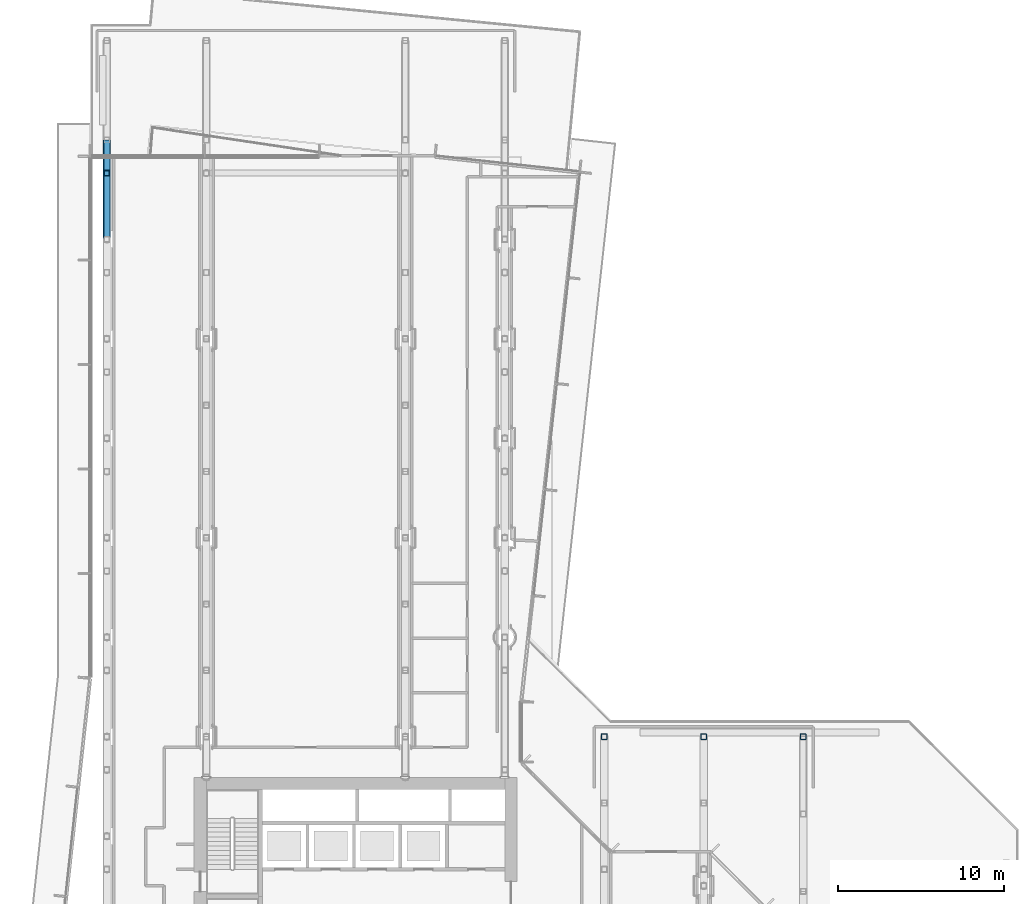
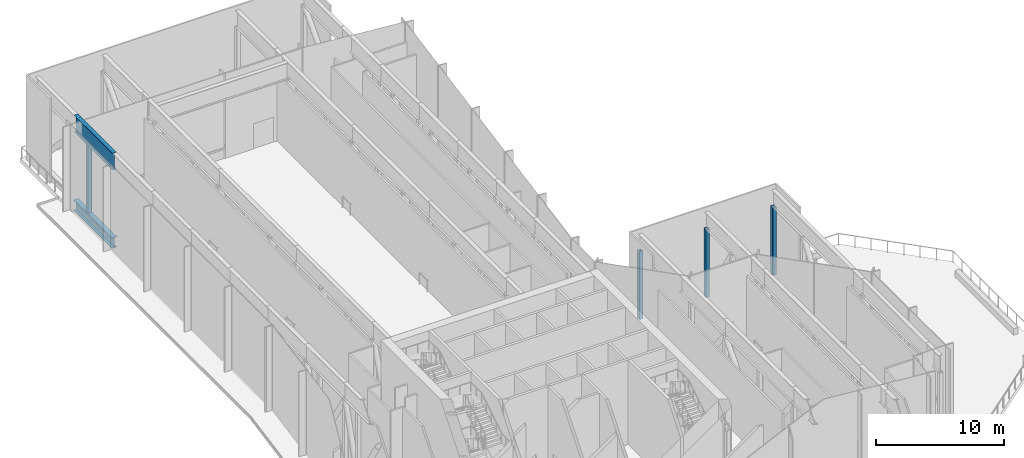
# One storey, part 9 of 24: 6 members.
"""IFC4 building model written with IfcOpenShell, lengths in metres."""

import ifcopenshell
import ifcopenshell.guid

model = None  # the IFC model being written
_history = None  # IfcOwnerHistory: only IFC2X3 demands one
_inside = {}  # id of a spatial element -> (the spatial element, [elements in it])
_under = {}  # id of a project, library or spatial element -> (it, [spatial elements below it])
_declared = {}  # id of a project -> (the project, [libraries it declares])
_typed = {}  # id of a type object -> (the type object, [elements of that type])
_made_of = {}  # id of a material, layer set ... -> (it, [elements and type objects made of it])


def new_model(schema):
    """Start an empty IFC model of exactly this schema.

    Asked for "IFC4X3", IfcOpenShell would pick the latest addendum, in which some entities
    have other attributes; the version numbers below select the first issue.
    IFC2X3 requires an IfcOwnerHistory on every rooted entity: one is made here for all.
    """
    global model, _history
    if schema == "IFC4X3":
        model = ifcopenshell.file(schema_version=(4, 3, 0, 0))
    else:
        model = ifcopenshell.file(schema=schema)
    _inside.clear()
    _under.clear()
    _declared.clear()
    _typed.clear()
    _made_of.clear()
    _history = None
    if model.schema == "IFC2X3":
        org = make("IfcOrganization", Name="unknown")
        user = make(
            "IfcPersonAndOrganization",
            ThePerson=make("IfcPerson", FamilyName="unknown"),
            TheOrganization=org,
        )
        app = make(
            "IfcApplication",
            ApplicationDeveloper=org,
            Version="unknown",
            ApplicationFullName="unknown",
            ApplicationIdentifier="unknown",
        )
        _history = make(
            "IfcOwnerHistory",
            OwningUser=user,
            OwningApplication=app,
            ChangeAction="ADDED",
            CreationDate=0,
        )
    return model


def make(cls, **values):
    """One entity of the class cls with the attributes given. An attribute that is None is left unset."""
    return model.create_entity(
        cls, **{name: value for name, value in values.items() if value is not None}
    )


def rooted(cls, **values):
    """An entity with a GlobalId (a new one), such as an element, a storey or a relation."""
    return make(cls, GlobalId=ifcopenshell.guid.new(), OwnerHistory=_history, **values)


def si_unit(unit_type, name, prefix=None):
    """IfcSIUnit, for example si_unit("LENGTHUNIT", "METRE", prefix="MILLI")."""
    return make("IfcSIUnit", UnitType=unit_type, Prefix=prefix, Name=name)


def assignment(units):
    """IfcUnitAssignment: the units of a project."""
    return None if units is None else make("IfcUnitAssignment", Units=units)


def point(xyz):
    """IfcCartesianPoint."""
    return None if xyz is None else make("IfcCartesianPoint", Coordinates=xyz)


def direction(xyz):
    """IfcDirection."""
    return None if xyz is None else make("IfcDirection", DirectionRatios=xyz)


def frame(location, z_axis=None, x_axis=None):
    """IfcAxis2Placement3D, a coordinate frame: its origin and axes. An axis left out is left unset."""
    return make(
        "IfcAxis2Placement3D",
        Location=point(location),
        Axis=direction(z_axis),
        RefDirection=direction(x_axis),
    )


def frame_2d(location, x_axis=None):
    """IfcAxis2Placement2D, a coordinate frame in the plane: its origin and x axis."""
    return make(
        "IfcAxis2Placement2D", Location=point(location), RefDirection=direction(x_axis)
    )


def origin():
    """The frame at (0, 0, 0) with its axes left unset."""
    return frame((0.0, 0.0, 0.0))


def origin_2d():
    """The frame at (0, 0) in the plane with its x axis left unset."""
    return frame_2d((0.0, 0.0))


def place(relative_to, where):
    """IfcLocalPlacement: puts the frame where relative to a parent placement (None: the world)."""
    return make(
        "IfcLocalPlacement", PlacementRelTo=relative_to, RelativePlacement=where
    )


def context(
    kind, dimensions, precision=None, world=None, true_north=None, identifier=None
):
    """IfcGeometricRepresentationContext, for example the 3D "Model" context."""
    return make(
        "IfcGeometricRepresentationContext",
        ContextIdentifier=identifier,
        ContextType=kind,
        CoordinateSpaceDimension=dimensions,
        Precision=precision,
        WorldCoordinateSystem=world,
        TrueNorth=true_north,
    )


def subcontext(parent, identifier, kind, view, scale=None):
    """IfcGeometricRepresentationSubContext, for example "Body" below "Model"."""
    return make(
        "IfcGeometricRepresentationSubContext",
        ContextIdentifier=identifier,
        ContextType=kind,
        ParentContext=parent,
        TargetScale=scale,
        TargetView=view,
    )


def project(units=None, contexts=None):
    """IfcProject with its units and contexts."""
    return rooted(
        "IfcProject",
        Name="project",
        RepresentationContexts=contexts,
        UnitsInContext=assignment(units),
    )


def spatial(cls, under=None, at=None, **own):
    """A site, building, storey or space (cls), placed at a placement, below another one or the project."""
    s = rooted(cls, ObjectPlacement=at, **own)
    if under is not None:
        _under.setdefault(under.id(), (under, []))[1].append(s)
    return s


def profile(cls, at=None, kind="AREA", **sizes):
    """A parametric profile (cls). Its sizes go by their IFC names, for example OverallWidth=200.0."""
    return make(cls, ProfileType=kind, Position=at, **sizes)


def hollow_rectangle(**sizes):
    """IfcRectangleHollowProfileDef."""
    return profile("IfcRectangleHollowProfileDef", **sizes)


def i_section(**sizes):
    """IfcIShapeProfileDef."""
    return profile("IfcIShapeProfileDef", **sizes)


def extrude(swept, where, along, depth):
    """IfcExtrudedAreaSolid: the profile swept, set in the frame where, extruded along a direction by depth."""
    return make(
        "IfcExtrudedAreaSolid",
        SweptArea=swept,
        Position=where,
        ExtrudedDirection=direction(along),
        Depth=depth,
    )


def shape(context_of_items, identifier, shape_type, items):
    """IfcShapeRepresentation: the items that make up one representation, for example the "Body"."""
    return make(
        "IfcShapeRepresentation",
        ContextOfItems=context_of_items,
        RepresentationIdentifier=identifier,
        RepresentationType=shape_type,
        Items=items,
    )


def material(Name=None, Category=None):
    """IfcMaterial."""
    return make("IfcMaterial", Name=Name, Category=Category)


def material_profile(
    of_material, cross_section, Name=None, Category=None, Priority=None
):
    """IfcMaterialProfile: a cross section and its material."""
    return make(
        "IfcMaterialProfile",
        Name=Name,
        Material=of_material,
        Profile=cross_section,
        Priority=Priority,
        Category=Category,
    )


def profile_set(profiles, Name=None, composite=None):
    """IfcMaterialProfileSet."""
    return make(
        "IfcMaterialProfileSet",
        Name=Name,
        MaterialProfiles=profiles,
        CompositeProfile=composite,
    )


def made_of(thing, what):
    """Note that an element or type object is made of a material, layer set ...; save() writes the relation."""
    if what is not None:
        _made_of.setdefault(what.id(), (what, []))[1].append(thing)
    return thing


def type_object(cls, material=None, **own):
    """A type object (cls), such as IfcWallType, which elements share."""
    return made_of(rooted(cls, **own), material)


def element(
    cls,
    number,
    at=None,
    inside=None,
    cuts=None,
    type_object=None,
    material=None,
    context=None,
    identifier="Body",
    shape_type=None,
    held_by="IfcProductDefinitionShape",
    body=None,
    shapes=None,
    **own,
):
    """One element of the class cls, such as IfcWall. Its Tag is "e" and its number.

    at: its placement. inside: the storey or other place that contains it. cuts: it is an
    opening in that element (IfcRelVoidsElement). A single representation is given by context,
    identifier, shape_type and body (its items); several are given by shapes. held_by: the class
    of the entity that holds the representations. save() writes the other relations.
    """
    e = rooted(cls, Tag="e%d" % number, ObjectPlacement=at, **own)
    if body is not None:
        shapes = [shape(context, identifier, shape_type, body)]
    if shapes is not None:
        e.Representation = make(held_by, Representations=shapes)
    if inside is not None:
        _inside.setdefault(inside.id(), (inside, []))[1].append(e)
    if cuts is not None:
        rooted(
            "IfcRelVoidsElement", RelatingBuildingElement=cuts, RelatedOpeningElement=e
        )
    if type_object is not None:
        _typed.setdefault(type_object.id(), (type_object, []))[1].append(e)
    return made_of(e, material)


def aggregate(whole, parts):
    """IfcRelAggregates: a whole, such as a stair, and the parts it consists of."""
    return rooted("IfcRelAggregates", RelatingObject=whole, RelatedObjects=parts)


def save(model, path):
    """Write the relations noted so far, then the file.

    IfcRelAggregates (storeys below a building ...), IfcRelContainedInSpatialStructure (elements
    in a storey), IfcRelDefinesByType, IfcRelAssociatesMaterial and IfcRelDeclares: one each for
    every whole, place, type object, material and project.
    """
    for whole, parts in _under.values():
        aggregate(whole, parts)
    for where, things in _inside.values():
        rooted(
            "IfcRelContainedInSpatialStructure",
            RelatedElements=things,
            RelatingStructure=where,
        )
    for kind, things in _typed.values():
        rooted("IfcRelDefinesByType", RelatedObjects=things, RelatingType=kind)
    for what, things in _made_of.values():
        rooted("IfcRelAssociatesMaterial", RelatedObjects=things, RelatingMaterial=what)
    for by, libraries in _declared.values():
        rooted("IfcRelDeclares", RelatingContext=by, RelatedDefinitions=libraries)
    model.write(path)


model = new_model("IFC4")

# Units and contexts
model_context = context("Model", 3, precision=1e-05, world=origin(), true_north=direction((0.0, 1.0)))
body_context = subcontext(model_context, "Body", "Model", "MODEL_VIEW")
ifc_project = project(units=[si_unit("LENGTHUNIT", "METRE"), si_unit("AREAUNIT", "SQUARE_METRE"), si_unit("VOLUMEUNIT", "CUBIC_METRE"), si_unit("PLANEANGLEUNIT", "RADIAN"), si_unit("MASSUNIT", "GRAM", prefix="KILO")], contexts=[model_context])

# Site, building, storey
site_placement = place(None, origin())
site = spatial("IfcSite", under=ifc_project, at=site_placement, CompositionType="ELEMENT")
building_placement = place(site_placement, origin())
building = spatial("IfcBuilding", under=site, at=building_placement, Name="Welwitschia Terrace Campus", CompositionType="ELEMENT")
storey_placement = place(building_placement, frame((0.0, 0.0, 138.199951171875)))
storey = spatial("IfcBuildingStorey", under=building, at=storey_placement, Name="L31", CompositionType="ELEMENT", Elevation=138.199951171875)

# Members
ifc_material_1 = material(Name="Steel S355", Category="steel")
ifc_material_profile_1 = material_profile(ifc_material_1, i_section(OverallWidth=0.449951171875, OverallDepth=1.0, WebThickness=0.030029296875, FlangeThickness=0.0400390625, at=origin_2d()))
ifc_profile_set_1 = profile_set([ifc_material_profile_1], Name="Steel S355")
member_type_1 = type_object("IfcMemberType", Name="Transfer truss C2 bottom chord WI 1000x450x30x40", PredefinedType="CHORD", material=ifc_profile_set_1)
member_1_placement = place(storey_placement, frame((0.0, 58.0, -0.5), z_axis=(0.0, 1.0, 0.0), x_axis=(-1.0, 0.0, 0.0)))
element("IfcMember", 1, at=member_1_placement, inside=storey, type_object=member_type_1, Name="Truss bottom chord", PredefinedType="CHORD", context=body_context, shape_type="SweptSolid", body=[
    extrude(i_section(OverallWidth=0.449951171875, OverallDepth=1.0, WebThickness=0.030029296875, FlangeThickness=0.0400390625, at=origin_2d()), origin(), (0.0, 0.0, 1.0), 6.0),
])
ifc_material_2 = material(Name="Steel S355", Category="steel")
ifc_material_profile_2 = material_profile(ifc_material_2, hollow_rectangle(XDim=0.35009765625, YDim=0.35009765625, WallThickness=0.02001953125, InnerFilletRadius=0.02001953125, OuterFilletRadius=0.030029296875, at=origin_2d()))
ifc_profile_set_2 = profile_set([ifc_material_profile_2], Name="Steel S355")
member_type_2 = type_object("IfcMemberType", Name="Transfer truss C2 post SHS 350x350x20", PredefinedType="POST", material=ifc_profile_set_2)
for number, where, z_axis, x_axis, name in (
    (2, (0.0, 62.0, 0.0), (0.0, 0.0, 1.0), (1.0, 0.0, 0.0), "Truss post"),
    (3, (30.0, 28.0, 0.0), (0.0, 0.0, 1.0), (1.0, 0.0, 0.0), "Truss post"),
    (4, (36.0, 28.0, 0.0), (0.0, 0.0, 1.0), (1.0, 0.0, 0.0), "Truss post"),
    (5, (42.0, 28.0, 0.0), (0.0, 0.0, 1.0), (1.0, 0.0, 0.0), "Truss post"),
):
    element("IfcMember", number, at=place(storey_placement, frame(where, z_axis=z_axis, x_axis=x_axis)), inside=storey, type_object=member_type_2, Name=name, PredefinedType="POST", context=body_context, shape_type="SweptSolid", body=[
        extrude(hollow_rectangle(XDim=0.35009765625, YDim=0.35009765625, WallThickness=0.02001953125, InnerFilletRadius=0.02001953125, OuterFilletRadius=0.030029296875, at=origin_2d()), origin(), (0.0, 0.0, 1.0), 6.449951171875),
    ])
ifc_material_3 = material(Name="Steel S355", Category="steel")
ifc_material_profile_3 = material_profile(ifc_material_3, i_section(OverallWidth=0.35009765625, OverallDepth=1.60009765625, WebThickness=0.030029296875, FlangeThickness=0.0400390625, at=origin_2d()))
ifc_profile_set_3 = profile_set([ifc_material_profile_3], Name="Steel S355")
member_type_3 = type_object("IfcMemberType", Name="Transfer truss C2 top chord WI 1600x350x30x40", PredefinedType="CHORD", material=ifc_profile_set_3)
member_2_placement = place(storey_placement, frame((0.0, 58.0, 7.25), z_axis=(0.0, 1.0, 0.0), x_axis=(-1.0, 0.0, 0.0)))
element("IfcMember", 6, at=member_2_placement, inside=storey, type_object=member_type_3, Name="Truss top chord", PredefinedType="CHORD", context=body_context, shape_type="SweptSolid", body=[
    extrude(i_section(OverallWidth=0.35009765625, OverallDepth=1.60009765625, WebThickness=0.030029296875, FlangeThickness=0.0400390625, at=origin_2d()), origin(), (0.0, 0.0, 1.0), 6.0),
])

save(model, "model.ifc")
